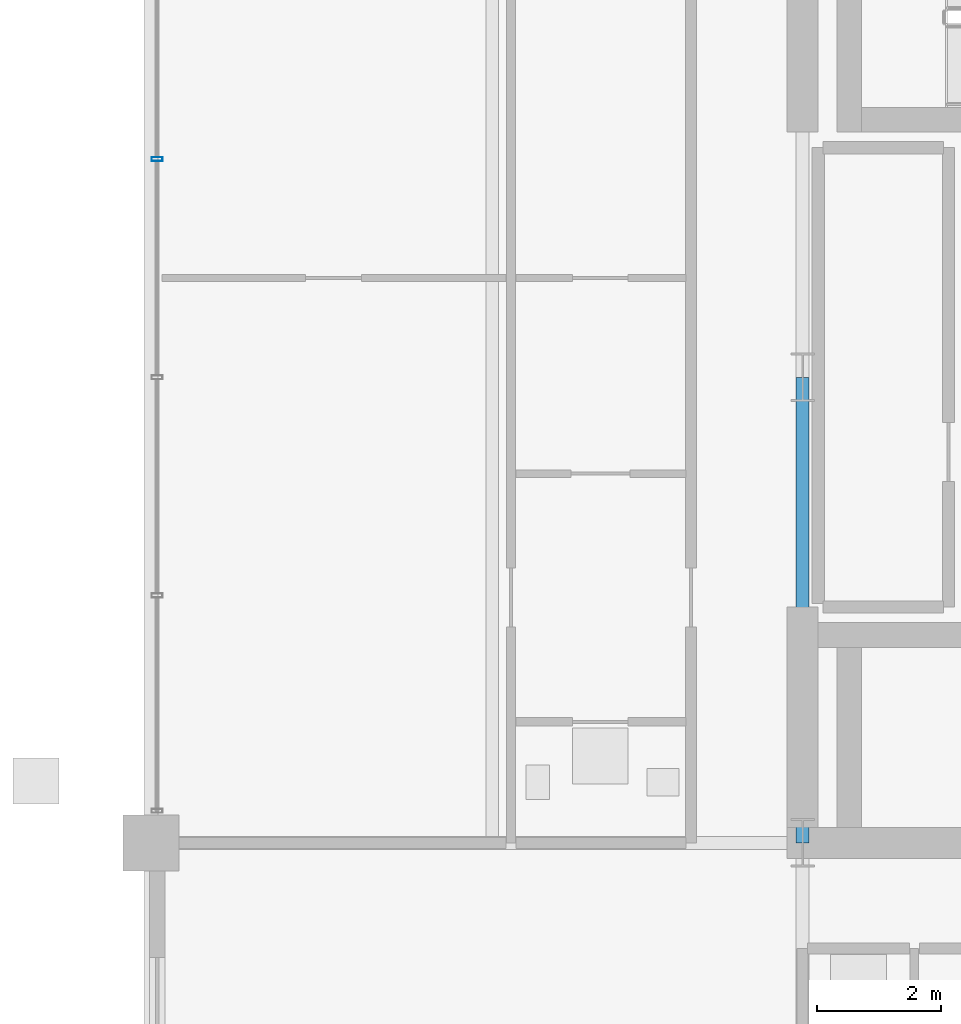
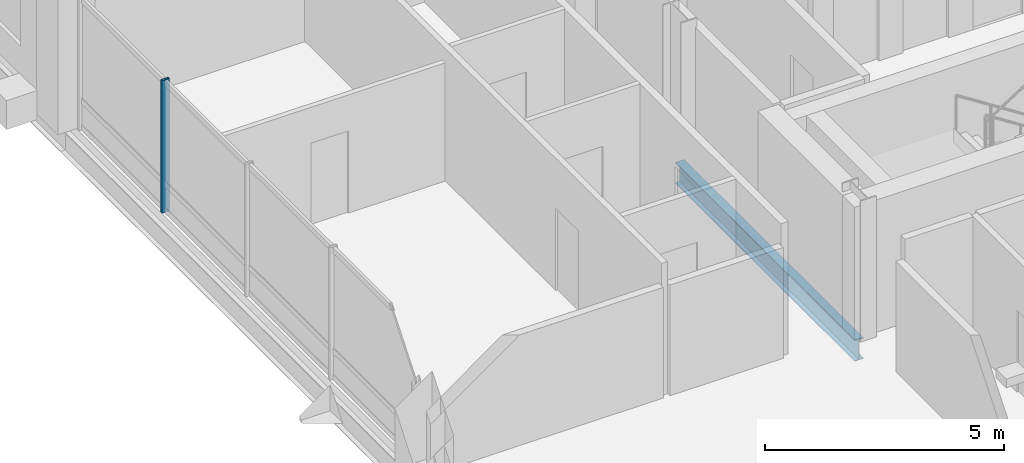
# One storey, part 7 of 21: 1 beam, 1 member, 1 element without a shape of its own.
"""IFC4 building model written with IfcOpenShell, lengths in metres."""

import ifcopenshell
import ifcopenshell.guid

model = None  # the IFC model being written
_history = None  # IfcOwnerHistory: only IFC2X3 demands one
_inside = {}  # id of a spatial element -> (the spatial element, [elements in it])
_under = {}  # id of a project, library or spatial element -> (it, [spatial elements below it])
_declared = {}  # id of a project -> (the project, [libraries it declares])
_typed = {}  # id of a type object -> (the type object, [elements of that type])
_made_of = {}  # id of a material, layer set ... -> (it, [elements and type objects made of it])


def new_model(schema):
    """Start an empty IFC model of exactly this schema.

    Asked for "IFC4X3", IfcOpenShell would pick the latest addendum, in which some entities
    have other attributes; the version numbers below select the first issue.
    IFC2X3 requires an IfcOwnerHistory on every rooted entity: one is made here for all.
    """
    global model, _history
    if schema == "IFC4X3":
        model = ifcopenshell.file(schema_version=(4, 3, 0, 0))
    else:
        model = ifcopenshell.file(schema=schema)
    _inside.clear()
    _under.clear()
    _declared.clear()
    _typed.clear()
    _made_of.clear()
    _history = None
    if model.schema == "IFC2X3":
        org = make("IfcOrganization", Name="unknown")
        user = make(
            "IfcPersonAndOrganization",
            ThePerson=make("IfcPerson", FamilyName="unknown"),
            TheOrganization=org,
        )
        app = make(
            "IfcApplication",
            ApplicationDeveloper=org,
            Version="unknown",
            ApplicationFullName="unknown",
            ApplicationIdentifier="unknown",
        )
        _history = make(
            "IfcOwnerHistory",
            OwningUser=user,
            OwningApplication=app,
            ChangeAction="ADDED",
            CreationDate=0,
        )
    return model


def make(cls, **values):
    """One entity of the class cls with the attributes given. An attribute that is None is left unset."""
    return model.create_entity(
        cls, **{name: value for name, value in values.items() if value is not None}
    )


def rooted(cls, **values):
    """An entity with a GlobalId (a new one), such as an element, a storey or a relation."""
    return make(cls, GlobalId=ifcopenshell.guid.new(), OwnerHistory=_history, **values)


def si_unit(unit_type, name, prefix=None):
    """IfcSIUnit, for example si_unit("LENGTHUNIT", "METRE", prefix="MILLI")."""
    return make("IfcSIUnit", UnitType=unit_type, Prefix=prefix, Name=name)


def assignment(units):
    """IfcUnitAssignment: the units of a project."""
    return None if units is None else make("IfcUnitAssignment", Units=units)


def point(xyz):
    """IfcCartesianPoint."""
    return None if xyz is None else make("IfcCartesianPoint", Coordinates=xyz)


def direction(xyz):
    """IfcDirection."""
    return None if xyz is None else make("IfcDirection", DirectionRatios=xyz)


def frame(location, z_axis=None, x_axis=None):
    """IfcAxis2Placement3D, a coordinate frame: its origin and axes. An axis left out is left unset."""
    return make(
        "IfcAxis2Placement3D",
        Location=point(location),
        Axis=direction(z_axis),
        RefDirection=direction(x_axis),
    )


def frame_2d(location, x_axis=None):
    """IfcAxis2Placement2D, a coordinate frame in the plane: its origin and x axis."""
    return make(
        "IfcAxis2Placement2D", Location=point(location), RefDirection=direction(x_axis)
    )


def origin():
    """The frame at (0, 0, 0) with its axes left unset."""
    return frame((0.0, 0.0, 0.0))


def origin_2d():
    """The frame at (0, 0) in the plane with its x axis left unset."""
    return frame_2d((0.0, 0.0))


def place(relative_to, where):
    """IfcLocalPlacement: puts the frame where relative to a parent placement (None: the world)."""
    return make(
        "IfcLocalPlacement", PlacementRelTo=relative_to, RelativePlacement=where
    )


def context(
    kind, dimensions, precision=None, world=None, true_north=None, identifier=None
):
    """IfcGeometricRepresentationContext, for example the 3D "Model" context."""
    return make(
        "IfcGeometricRepresentationContext",
        ContextIdentifier=identifier,
        ContextType=kind,
        CoordinateSpaceDimension=dimensions,
        Precision=precision,
        WorldCoordinateSystem=world,
        TrueNorth=true_north,
    )


def subcontext(parent, identifier, kind, view, scale=None):
    """IfcGeometricRepresentationSubContext, for example "Body" below "Model"."""
    return make(
        "IfcGeometricRepresentationSubContext",
        ContextIdentifier=identifier,
        ContextType=kind,
        ParentContext=parent,
        TargetScale=scale,
        TargetView=view,
    )


def project(units=None, contexts=None):
    """IfcProject with its units and contexts."""
    return rooted(
        "IfcProject",
        Name="project",
        RepresentationContexts=contexts,
        UnitsInContext=assignment(units),
    )


def spatial(cls, under=None, at=None, **own):
    """A site, building, storey or space (cls), placed at a placement, below another one or the project."""
    s = rooted(cls, ObjectPlacement=at, **own)
    if under is not None:
        _under.setdefault(under.id(), (under, []))[1].append(s)
    return s


def profile(cls, at=None, kind="AREA", **sizes):
    """A parametric profile (cls). Its sizes go by their IFC names, for example OverallWidth=200.0."""
    return make(cls, ProfileType=kind, Position=at, **sizes)


def hollow_rectangle(**sizes):
    """IfcRectangleHollowProfileDef."""
    return profile("IfcRectangleHollowProfileDef", **sizes)


def i_section(**sizes):
    """IfcIShapeProfileDef."""
    return profile("IfcIShapeProfileDef", **sizes)


def extrude(swept, where, along, depth):
    """IfcExtrudedAreaSolid: the profile swept, set in the frame where, extruded along a direction by depth."""
    return make(
        "IfcExtrudedAreaSolid",
        SweptArea=swept,
        Position=where,
        ExtrudedDirection=direction(along),
        Depth=depth,
    )


def shape(context_of_items, identifier, shape_type, items):
    """IfcShapeRepresentation: the items that make up one representation, for example the "Body"."""
    return make(
        "IfcShapeRepresentation",
        ContextOfItems=context_of_items,
        RepresentationIdentifier=identifier,
        RepresentationType=shape_type,
        Items=items,
    )


def material(Name=None, Category=None):
    """IfcMaterial."""
    return make("IfcMaterial", Name=Name, Category=Category)


def layer(
    of_material, thickness, ventilated=None, Name=None, Category=None, Priority=None
):
    """IfcMaterialLayer: one layer of a wall or slab, of a material (None: an air gap)."""
    return make(
        "IfcMaterialLayer",
        Material=of_material,
        LayerThickness=thickness,
        IsVentilated=ventilated,
        Name=Name,
        Category=Category,
        Priority=Priority,
    )


def layer_set(layers, Name=None):
    """IfcMaterialLayerSet."""
    return make("IfcMaterialLayerSet", MaterialLayers=layers, LayerSetName=Name)


def material_profile(
    of_material, cross_section, Name=None, Category=None, Priority=None
):
    """IfcMaterialProfile: a cross section and its material."""
    return make(
        "IfcMaterialProfile",
        Name=Name,
        Material=of_material,
        Profile=cross_section,
        Priority=Priority,
        Category=Category,
    )


def profile_set(profiles, Name=None, composite=None):
    """IfcMaterialProfileSet."""
    return make(
        "IfcMaterialProfileSet",
        Name=Name,
        MaterialProfiles=profiles,
        CompositeProfile=composite,
    )


def made_of(thing, what):
    """Note that an element or type object is made of a material, layer set ...; save() writes the relation."""
    if what is not None:
        _made_of.setdefault(what.id(), (what, []))[1].append(thing)
    return thing


def type_object(cls, material=None, **own):
    """A type object (cls), such as IfcWallType, which elements share."""
    return made_of(rooted(cls, **own), material)


def element(
    cls,
    number,
    at=None,
    inside=None,
    cuts=None,
    type_object=None,
    material=None,
    context=None,
    identifier="Body",
    shape_type=None,
    held_by="IfcProductDefinitionShape",
    body=None,
    shapes=None,
    **own,
):
    """One element of the class cls, such as IfcWall. Its Tag is "e" and its number.

    at: its placement. inside: the storey or other place that contains it. cuts: it is an
    opening in that element (IfcRelVoidsElement). A single representation is given by context,
    identifier, shape_type and body (its items); several are given by shapes. held_by: the class
    of the entity that holds the representations. save() writes the other relations.
    """
    e = rooted(cls, Tag="e%d" % number, ObjectPlacement=at, **own)
    if body is not None:
        shapes = [shape(context, identifier, shape_type, body)]
    if shapes is not None:
        e.Representation = make(held_by, Representations=shapes)
    if inside is not None:
        _inside.setdefault(inside.id(), (inside, []))[1].append(e)
    if cuts is not None:
        rooted(
            "IfcRelVoidsElement", RelatingBuildingElement=cuts, RelatedOpeningElement=e
        )
    if type_object is not None:
        _typed.setdefault(type_object.id(), (type_object, []))[1].append(e)
    return made_of(e, material)


def aggregate(whole, parts):
    """IfcRelAggregates: a whole, such as a stair, and the parts it consists of."""
    return rooted("IfcRelAggregates", RelatingObject=whole, RelatedObjects=parts)


def save(model, path):
    """Write the relations noted so far, then the file.

    IfcRelAggregates (storeys below a building ...), IfcRelContainedInSpatialStructure (elements
    in a storey), IfcRelDefinesByType, IfcRelAssociatesMaterial and IfcRelDeclares: one each for
    every whole, place, type object, material and project.
    """
    for whole, parts in _under.values():
        aggregate(whole, parts)
    for where, things in _inside.values():
        rooted(
            "IfcRelContainedInSpatialStructure",
            RelatedElements=things,
            RelatingStructure=where,
        )
    for kind, things in _typed.values():
        rooted("IfcRelDefinesByType", RelatedObjects=things, RelatingType=kind)
    for what, things in _made_of.values():
        rooted("IfcRelAssociatesMaterial", RelatedObjects=things, RelatingMaterial=what)
    for by, libraries in _declared.values():
        rooted("IfcRelDeclares", RelatingContext=by, RelatedDefinitions=libraries)
    model.write(path)


model = new_model("IFC4")

# Units and contexts
model_context = context("Model", 3, precision=1e-05, world=origin(), true_north=direction((0.0, 1.0)))
body_context = subcontext(model_context, "Body", "Model", "MODEL_VIEW")
ifc_project = project(units=[si_unit("LENGTHUNIT", "METRE"), si_unit("AREAUNIT", "SQUARE_METRE"), si_unit("VOLUMEUNIT", "CUBIC_METRE"), si_unit("PLANEANGLEUNIT", "RADIAN"), si_unit("MASSUNIT", "GRAM", prefix="KILO")], contexts=[model_context])

# Site, building, storey
site_placement = place(None, origin())
site = spatial("IfcSite", under=ifc_project, at=site_placement, CompositionType="ELEMENT")
building_placement = place(site_placement, origin())
building = spatial("IfcBuilding", under=site, at=building_placement, Name="Barlavira Tower and Art Museum", CompositionType="ELEMENT")
storey_placement = place(building_placement, frame((0.0, 0.0, 297.89990234375)))
storey = spatial("IfcBuildingStorey", under=building, at=storey_placement, Name="L78", CompositionType="ELEMENT", Elevation=297.89990234375)

# Curtain wall, member
ifc_material_1 = material(Name="Low-iron coastal laminated glass", Category="glass")
ifc_layer = layer(ifc_material_1, 0.2099609375, Name="Low-iron coastal laminated glass")
ifc_layer_set = layer_set([ifc_layer], Name="Low-iron coastal laminated glass")
curtain_wall_type = type_object("IfcCurtainWallType", Name="Pale-Metal Unitised Curtain Wall Zone 4", PredefinedType="NOTDEFINED", material=ifc_layer_set)
curtain_wall_placement = place(storey_placement, origin())
curtain_wall = element("IfcCurtainWall", 1, at=curtain_wall_placement, inside=storey, type_object=curtain_wall_type, Name="L78 Curtain Wall CW4-L78-W-B3", PredefinedType="NOTDEFINED")
ifc_material_2 = material(Name="Pale anodised aluminium", Category="aluminium")
ifc_material_profile_1 = material_profile(ifc_material_2, hollow_rectangle(XDim=0.06494140625, YDim=0.179931640625, WallThickness=0.00390625, at=origin_2d()), Name="ALU-MULL 65x180x4")
ifc_profile_set_1 = profile_set([ifc_material_profile_1], Name="Pale anodised aluminium")
member_type = type_object("IfcMemberType", Name="Curtain Wall Pale-Metal Mullion 65x180", PredefinedType="MULLION", material=ifc_profile_set_1)
member_placement = place(storey_placement, frame((-16.89990234375, 3.514892578125, 0.0), z_axis=(0.0, 0.0, 1.0), x_axis=(0.0, -1.0, 0.0)))
member = element("IfcMember", 2, at=member_placement, type_object=member_type, Name="CW4-L78-W-B3 Mullion 1", PredefinedType="MULLION", context=body_context, shape_type="SweptSolid", body=[
    extrude(hollow_rectangle(XDim=0.06494140625, YDim=0.179931640625, WallThickness=0.00390625, at=origin_2d()), origin(), (0.0, 0.0, 1.0), 3.380126953125),
])
aggregate(curtain_wall, [member])

# Beam
ifc_material_3 = material(Name="Steel S355", Category="steel")
ifc_material_profile_2 = material_profile(ifc_material_3, i_section(OverallWidth=0.2109375, OverallDepth=0.5390625, WebThickness=0.01171875, FlangeThickness=0.018798828125, at=origin_2d()), Name="W530x109.0")
ifc_profile_set_2 = profile_set([ifc_material_profile_2], Name="Steel S355")
beam_type = type_object("IfcBeamType", Name="Zone 3-4 Primary Floor Girder W530x109 Steel S355", PredefinedType="BEAM", material=ifc_profile_set_2)
beam_placement = place(storey_placement, frame((-6.5, -7.5, -0.489501953125), z_axis=(0.0, 1.0, 0.0), x_axis=(-1.0, 0.0, 0.0)))
element("IfcBeam", 3, at=beam_placement, inside=storey, type_object=beam_type, Name="L78 Girder C-W1", PredefinedType="BEAM", context=body_context, shape_type="SweptSolid", body=[
    extrude(i_section(OverallWidth=0.2109375, OverallDepth=0.5390625, WebThickness=0.01171875, FlangeThickness=0.018798828125, at=origin_2d()), origin(), (0.0, 0.0, 1.0), 7.5),
])

save(model, "model.ifc")
